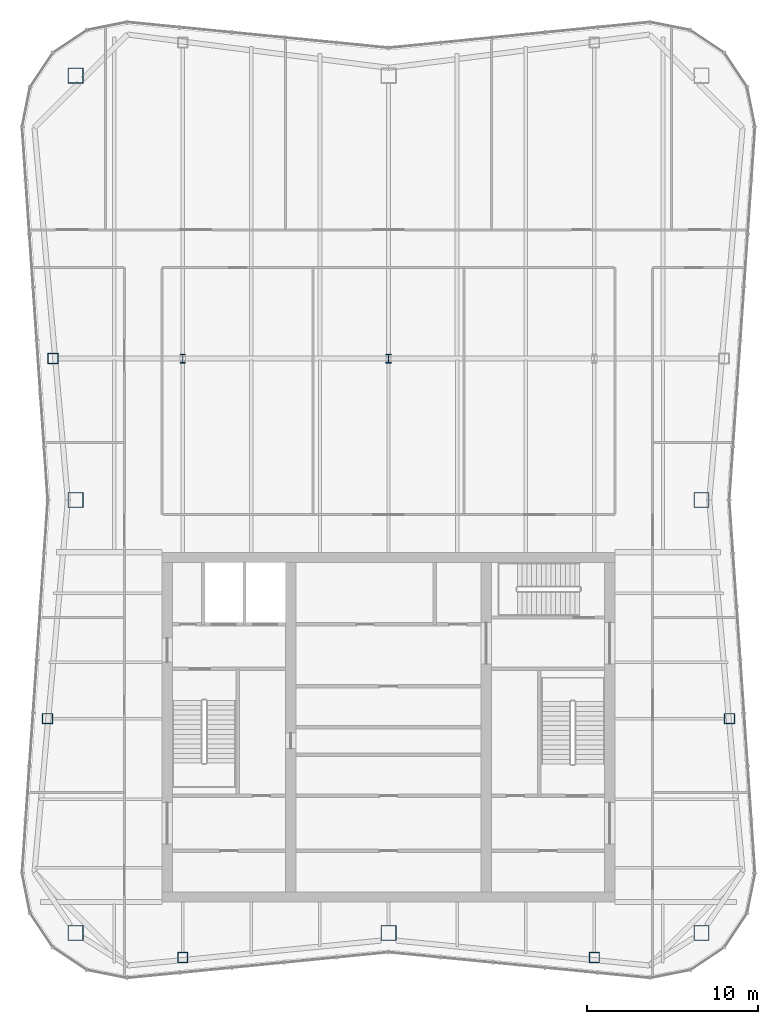
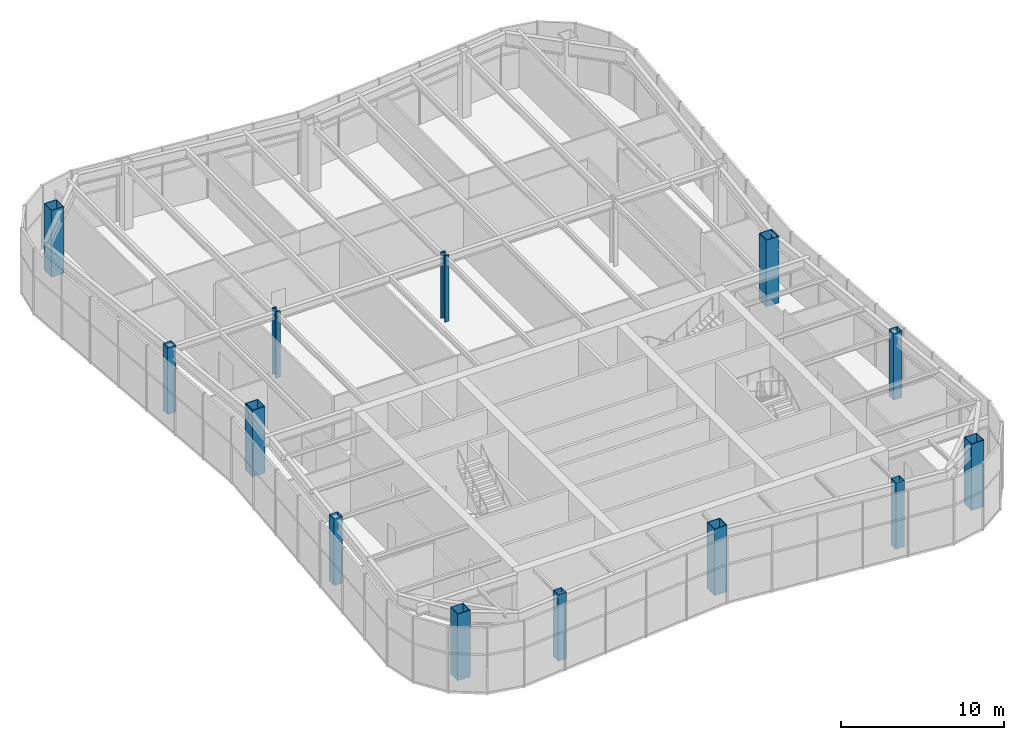
# One storey, part 1 of 13: 13 columns.
"""IFC4 building model written with IfcOpenShell, lengths in metres."""

from ifc_helpers import new_model, si_unit, direction, frame, origin, origin_2d, place, context, subcontext, project, spatial, hollow_rectangle, i_section, extrude, material, material_profile, profile_set, type_object, element, save


model = new_model("IFC4")

# Units and contexts
model_context = context("Model", 3, precision=1e-05, world=origin(), true_north=direction((0.0, 1.0)))
body_context = subcontext(model_context, "Body", "Model", "MODEL_VIEW")
ifc_project = project(units=[si_unit("LENGTHUNIT", "METRE"), si_unit("AREAUNIT", "SQUARE_METRE"), si_unit("VOLUMEUNIT", "CUBIC_METRE"), si_unit("PLANEANGLEUNIT", "RADIAN"), si_unit("MASSUNIT", "GRAM", prefix="KILO")], contexts=[model_context])

# Site, building, storey
site_placement = place(None, origin())
site = spatial("IfcSite", under=ifc_project, at=site_placement, CompositionType="ELEMENT")
building_placement = place(site_placement, origin())
building = spatial("IfcBuilding", under=site, at=building_placement, Name="Verdant Reach Tower", CompositionType="ELEMENT")
storey_placement = place(building_placement, frame((0.0, 0.0, 354.5)))
storey = spatial("IfcBuildingStorey", under=building, at=storey_placement, Name="L80 Plant", CompositionType="ELEMENT", Elevation=354.5)

# Columns
ifc_material = material(Name="Steel S460", Category="steel")
ifc_material_profile_1 = material_profile(ifc_material, i_section(OverallWidth=0.305908203125, OverallDepth=0.52392578125, WebThickness=0.012451171875, FlangeThickness=0.0400390625, FilletRadius=0.027099609375, at=origin_2d()), Name="HEM 500")
ifc_profile_set_1 = profile_set([ifc_material_profile_1], Name="Steel S460")
column_type_1 = type_object("IfcColumnType", Name="ST-COL-HEM500", PredefinedType="COLUMN", material=ifc_profile_set_1)
for number, where, z_axis, x_axis, name in (
    (1, (-12.0, 49.5, 0.0), (0.0, 0.0, 1.0), (1.0, 0.0, 0.0), "Interior column 1, L80 Plant"),
    (2, (0.0, 49.5, 0.0), (0.0, 0.0, 1.0), (1.0, 0.0, 0.0), "Interior column 2, L80 Plant"),
):
    element("IfcColumn", number, at=place(storey_placement, frame(where, z_axis=z_axis, x_axis=x_axis)), inside=storey, type_object=column_type_1, Name=name, PredefinedType="COLUMN", context=body_context, shape_type="SweptSolid", body=[
        extrude(i_section(OverallWidth=0.305908203125, OverallDepth=0.52392578125, WebThickness=0.012451171875, FlangeThickness=0.0400390625, FilletRadius=0.027099609375, at=origin_2d()), origin(), (0.0, 0.0, 1.0), 5.0),
    ])
ifc_material_profile_2 = material_profile(ifc_material, hollow_rectangle(XDim=0.60009765625, YDim=0.60009765625, WallThickness=0.02490234375, at=origin_2d()), Name="WB 600x600x25")
ifc_profile_set_2 = profile_set([ifc_material_profile_2], Name="Steel S460")
column_type_2 = type_object("IfcColumnType", Name="ST-COL-WB600x600x25", PredefinedType="COLUMN", material=ifc_profile_set_2)
for number, where, z_axis, x_axis, name in (
    (3, (-12.0, 14.569580078125, 0.0), (0.0, 0.0, 1.0), (1.0, 0.0, 0.0), "Perimeter column south 1, L80 Plant"),
    (4, (12.0, 14.569580078125, 0.0), (0.0, 0.0, 1.0), (1.0, 0.0, 0.0), "Perimeter column south 2, L80 Plant"),
    (5, (19.87939453125, 28.5, 0.0), (0.0, 0.0, 1.0), (1.0, 0.0, 0.0), "Perimeter column east 1, L80 Plant"),
    (6, (-19.87939453125, 28.5, 0.0), (0.0, 0.0, 1.0), (1.0, 0.0, 0.0), "Perimeter column west 1, L80 Plant"),
    (7, (-19.569091796875, 49.5, 0.0), (0.0, 0.0, 1.0), (1.0, 0.0, 0.0), "Perimeter column west 2, L80 Plant"),
):
    element("IfcColumn", number, at=place(storey_placement, frame(where, z_axis=z_axis, x_axis=x_axis)), inside=storey, type_object=column_type_2, Name=name, PredefinedType="COLUMN", context=body_context, shape_type="SweptSolid", body=[
        extrude(hollow_rectangle(XDim=0.60009765625, YDim=0.60009765625, WallThickness=0.02490234375, at=origin_2d()), origin(), (0.0, 0.0, 1.0), 5.0),
    ])
ifc_material_profile_3 = material_profile(ifc_material, hollow_rectangle(XDim=0.89990234375, YDim=0.89990234375, WallThickness=0.0400390625, at=origin_2d()), Name="WB 900x900x40")
ifc_profile_set_3 = profile_set([ifc_material_profile_3], Name="Steel S460")
column_type_3 = type_object("IfcColumnType", Name="ST-COL-WB900x900x40", PredefinedType="COLUMN", material=ifc_profile_set_3)
for number, where, z_axis, x_axis, name in (
    (8, (-18.25, 66.0, 0.0), (0.0, 0.0, 1.0), (1.0, 0.0, 0.0), "Mega column north-west, L80 Plant"),
    (9, (18.25, 41.25, 0.0), (0.0, 0.0, 1.0), (1.0, 0.0, 0.0), "Mega column east, L80 Plant"),
    (10, (18.25, 16.0, 0.0), (0.0, 0.0, 1.0), (1.0, 0.0, 0.0), "Mega column south-east, L80 Plant"),
    (11, (0.0, 16.0, 0.0), (0.0, 0.0, 1.0), (1.0, 0.0, 0.0), "Mega column south, L80 Plant"),
    (12, (-18.25, 16.0, 0.0), (0.0, 0.0, 1.0), (1.0, 0.0, 0.0), "Mega column south-west, L80 Plant"),
    (13, (-18.25, 41.25, 0.0), (0.0, 0.0, 1.0), (1.0, 0.0, 0.0), "Mega column west, L80 Plant"),
):
    element("IfcColumn", number, at=place(storey_placement, frame(where, z_axis=z_axis, x_axis=x_axis)), inside=storey, type_object=column_type_3, Name=name, PredefinedType="COLUMN", context=body_context, shape_type="SweptSolid", body=[
        extrude(hollow_rectangle(XDim=0.89990234375, YDim=0.89990234375, WallThickness=0.0400390625, at=origin_2d()), origin(), (0.0, 0.0, 1.0), 5.0),
    ])

save(model, "model.ifc")
